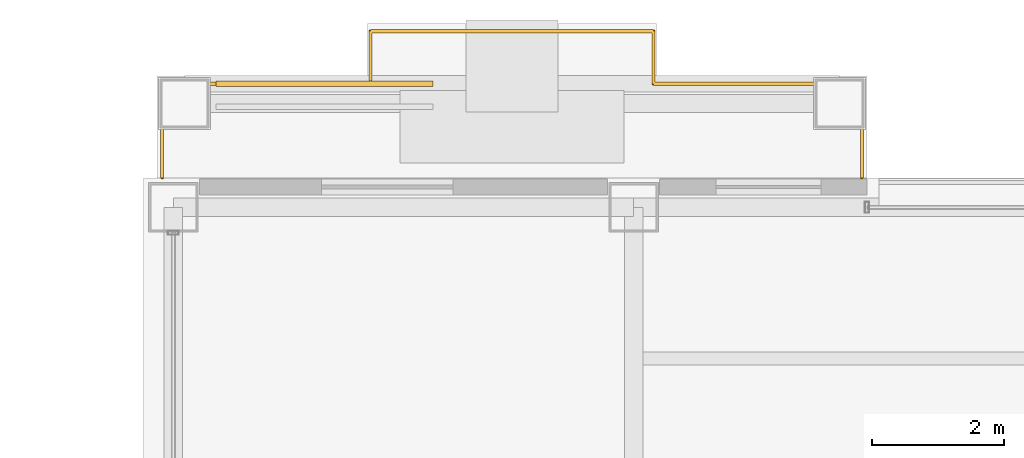
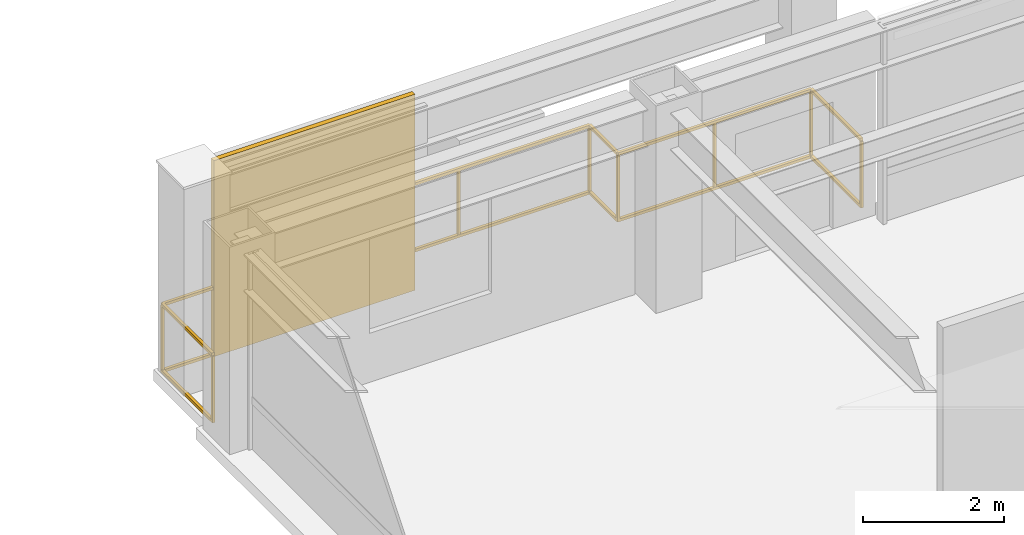
# One storey, part 30 of 31: 1 railing, 1 shading device.
"""IFC4 building model written with IfcOpenShell, lengths in metres."""

from ifc_helpers import new_model, si_unit, direction, frame, origin, origin_2d, place, context, subcontext, project, spatial, rectangle, extrude, material, layer, layer_set, type_object, element, save


model = new_model("IFC4")

# Units and contexts
model_context = context("Model", 3, precision=1e-05, world=origin(), true_north=direction((0.0, 1.0)))
body_context = subcontext(model_context, "Body", "Model", "MODEL_VIEW")
ifc_project = project(units=[si_unit("LENGTHUNIT", "METRE"), si_unit("AREAUNIT", "SQUARE_METRE"), si_unit("VOLUMEUNIT", "CUBIC_METRE"), si_unit("PLANEANGLEUNIT", "RADIAN"), si_unit("MASSUNIT", "GRAM", prefix="KILO")], contexts=[model_context])

# Site, building, storey
site_placement = place(None, origin())
site = spatial("IfcSite", under=ifc_project, at=site_placement, CompositionType="ELEMENT")
building_placement = place(site_placement, origin())
building = spatial("IfcBuilding", under=site, at=building_placement, Name="Brelmoor Portico Tower", CompositionType="ELEMENT")
storey_placement = place(building_placement, frame((0.0, 0.0, 176.699951171875)))
storey = spatial("IfcBuildingStorey", under=building, at=storey_placement, Name="L46", CompositionType="ELEMENT", Elevation=176.699951171875)

# Railing
ifc_material_1 = material(Name="Perforated Pale Champagne Aluminium Fretwork Guard", Category="aluminium")
railing_type = type_object("IfcRailingType", Name="RL-BALUSTRADE-1200", PredefinedType="BALUSTRADE", material=ifc_material_1)
railing_placement = place(storey_placement, frame((-15.219970703125, 19.0, 0.0)))
element("IfcRailing", 1, at=railing_placement, inside=storey, type_object=railing_type, Name="L46 Tree Balcony Fretwork Balustrade N", PredefinedType="BALUSTRADE", context=body_context, shape_type="SweptSolid", body=[
    extrude(rectangle(XDim=0.048095703125, YDim=0.048095703125, at=origin_2d()), frame((0.0, 0.0, 1.17578125), z_axis=(0.0, 1.0, 0.0), x_axis=(-1.0, 0.0, 0.0)), (0.0, 0.0, 1.0), 1.429931640625),
    extrude(rectangle(XDim=0.048095703125, YDim=0.048095703125, at=origin_2d()), frame((0.0, 0.0, 0.02392578125), z_axis=(0.0, 1.0, 0.0), x_axis=(-1.0, 0.0, 0.0)), (0.0, 0.0, 1.0), 1.429931640625),
    extrude(rectangle(XDim=0.048095703125, YDim=0.048095703125, at=origin_2d()), frame((0.0, 1.429931640625, 1.17578125), z_axis=(1.0, 0.0, 0.0), x_axis=(0.0, 1.0, 0.0)), (0.0, 0.0, 1.0), 3.169921875),
    extrude(rectangle(XDim=0.048095703125, YDim=0.048095703125, at=origin_2d()), frame((0.0, 1.429931640625, 0.02392578125), z_axis=(1.0, 0.0, 0.0), x_axis=(0.0, 1.0, 0.0)), (0.0, 0.0, 1.0), 3.169921875),
    extrude(rectangle(XDim=0.048095703125, YDim=0.048095703125, at=origin_2d()), frame((3.169921875, 1.429931640625, 1.17578125), z_axis=(0.0, 1.0, 0.0), x_axis=(-1.0, 0.0, 0.0)), (0.0, 0.0, 1.0), 0.800048828125),
    extrude(rectangle(XDim=0.048095703125, YDim=0.048095703125, at=origin_2d()), frame((3.169921875, 1.429931640625, 0.02392578125), z_axis=(0.0, 1.0, 0.0), x_axis=(-1.0, 0.0, 0.0)), (0.0, 0.0, 1.0), 0.800048828125),
    extrude(rectangle(XDim=0.048095703125, YDim=0.048095703125, at=origin_2d()), frame((3.169921875, 2.22998046875, 1.17578125), z_axis=(1.0, 0.0, 0.0), x_axis=(0.0, 1.0, 0.0)), (0.0, 0.0, 1.0), 4.300048828125),
    extrude(rectangle(XDim=0.048095703125, YDim=0.048095703125, at=origin_2d()), frame((3.169921875, 2.22998046875, 0.02392578125), z_axis=(1.0, 0.0, 0.0), x_axis=(0.0, 1.0, 0.0)), (0.0, 0.0, 1.0), 4.300048828125),
    extrude(rectangle(XDim=0.048095703125, YDim=0.048095703125, at=origin_2d()), frame((7.469970703125, 2.22998046875, 1.17578125), z_axis=(0.0, -1.0, 0.0), x_axis=(1.0, 0.0, 0.0)), (0.0, 0.0, 1.0), 0.800048828125),
    extrude(rectangle(XDim=0.048095703125, YDim=0.048095703125, at=origin_2d()), frame((7.469970703125, 2.22998046875, 0.02392578125), z_axis=(0.0, -1.0, 0.0), x_axis=(1.0, 0.0, 0.0)), (0.0, 0.0, 1.0), 0.800048828125),
    extrude(rectangle(XDim=0.048095703125, YDim=0.048095703125, at=origin_2d()), frame((7.469970703125, 1.429931640625, 1.17578125), z_axis=(1.0, 0.0, 0.0), x_axis=(0.0, 1.0, 0.0)), (0.0, 0.0, 1.0), 3.169921875),
    extrude(rectangle(XDim=0.048095703125, YDim=0.048095703125, at=origin_2d()), frame((7.469970703125, 1.429931640625, 0.02392578125), z_axis=(1.0, 0.0, 0.0), x_axis=(0.0, 1.0, 0.0)), (0.0, 0.0, 1.0), 3.169921875),
    extrude(rectangle(XDim=0.048095703125, YDim=0.048095703125, at=origin_2d()), frame((10.639892578125, 1.429931640625, 1.17578125), z_axis=(0.0, -1.0, 0.0), x_axis=(1.0, 0.0, 0.0)), (0.0, 0.0, 1.0), 1.429931640625),
    extrude(rectangle(XDim=0.048095703125, YDim=0.048095703125, at=origin_2d()), frame((10.639892578125, 1.429931640625, 0.02392578125), z_axis=(0.0, -1.0, 0.0), x_axis=(1.0, 0.0, 0.0)), (0.0, 0.0, 1.0), 1.429931640625),
    extrude(rectangle(XDim=0.0419921875, YDim=0.0419921875, at=origin_2d()), origin(), (0.0, 0.0, 1.0), 1.15185546875),
    extrude(rectangle(XDim=0.0419921875, YDim=0.0419921875, at=origin_2d()), frame((0.0, 1.429931640625, 0.0)), (0.0, 0.0, 1.0), 1.15185546875),
    extrude(rectangle(XDim=0.0419921875, YDim=0.0419921875, at=origin_2d()), frame((1.5849609375, 1.429931640625, 0.0)), (0.0, 0.0, 1.0), 1.15185546875),
    extrude(rectangle(XDim=0.0419921875, YDim=0.0419921875, at=origin_2d()), frame((3.169921875, 1.429931640625, 0.0)), (0.0, 0.0, 1.0), 1.15185546875),
    extrude(rectangle(XDim=0.0419921875, YDim=0.0419921875, at=origin_2d()), frame((3.169921875, 2.22998046875, 0.0)), (0.0, 0.0, 1.0), 1.15185546875),
    extrude(rectangle(XDim=0.0419921875, YDim=0.0419921875, at=origin_2d()), frame((5.31982421875, 2.22998046875, 0.0)), (0.0, 0.0, 1.0), 1.15185546875),
    extrude(rectangle(XDim=0.0419921875, YDim=0.0419921875, at=origin_2d()), frame((7.469970703125, 2.22998046875, 0.0)), (0.0, 0.0, 1.0), 1.15185546875),
    extrude(rectangle(XDim=0.0419921875, YDim=0.0419921875, at=origin_2d()), frame((7.469970703125, 1.429931640625, 0.0)), (0.0, 0.0, 1.0), 1.15185546875),
    extrude(rectangle(XDim=0.0419921875, YDim=0.0419921875, at=origin_2d()), frame((9.054931640625, 1.429931640625, 0.0)), (0.0, 0.0, 1.0), 1.15185546875),
    extrude(rectangle(XDim=0.0419921875, YDim=0.0419921875, at=origin_2d()), frame((10.639892578125, 1.429931640625, 0.0)), (0.0, 0.0, 1.0), 1.15185546875),
    extrude(rectangle(XDim=0.0419921875, YDim=0.0419921875, at=origin_2d()), frame((10.639892578125, 0.0, 0.0)), (0.0, 0.0, 1.0), 1.15185546875),
])

# Shading device
ifc_material_2 = material(Name="Powder-Coated Aluminium Shuttered Jalousie", Category="aluminium")
ifc_layer = layer(ifc_material_2, 0.080078125)
ifc_layer_set = layer_set([ifc_layer], Name="Powder-Coated Aluminium Shuttered Jalousie")
shading_device_type = type_object("IfcShadingDeviceType", Name="SD-JALOUSIE-LOGGIA", PredefinedType="JALOUSIE", material=ifc_layer_set)
shading_device_placement = place(storey_placement, frame((-12.75, 20.429931640625, 0.0), z_axis=(0.0, 0.0, 1.0), x_axis=(1.0, 0.0, 0.0)))
element("IfcShadingDevice", 2, at=shading_device_placement, inside=storey, type_object=shading_device_type, Name="L46 Loggia Shuttered Jalousie N", PredefinedType="JALOUSIE", context=body_context, shape_type="SweptSolid", body=[
    extrude(rectangle(XDim=3.300048828125, YDim=0.080078125, at=origin_2d()), origin(), (0.0, 0.0, 1.0), 3.39990234375),
])

save(model, "model.ifc")
